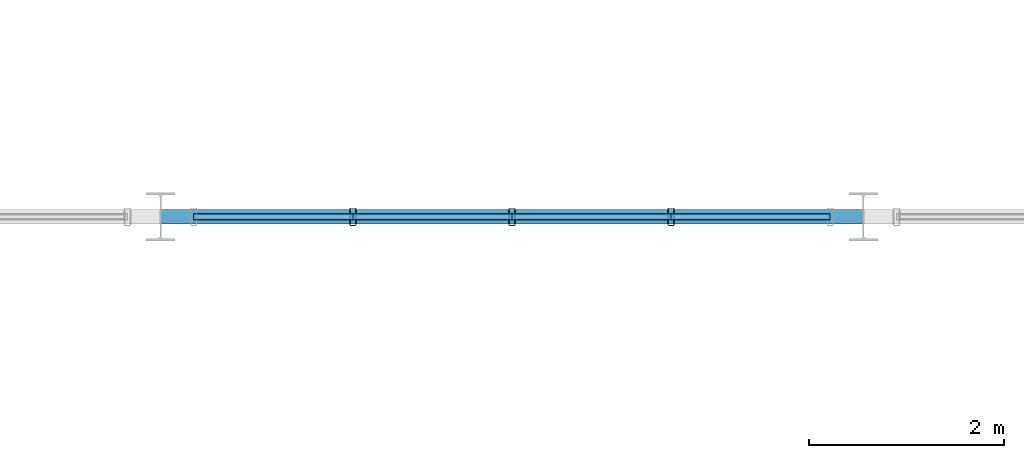
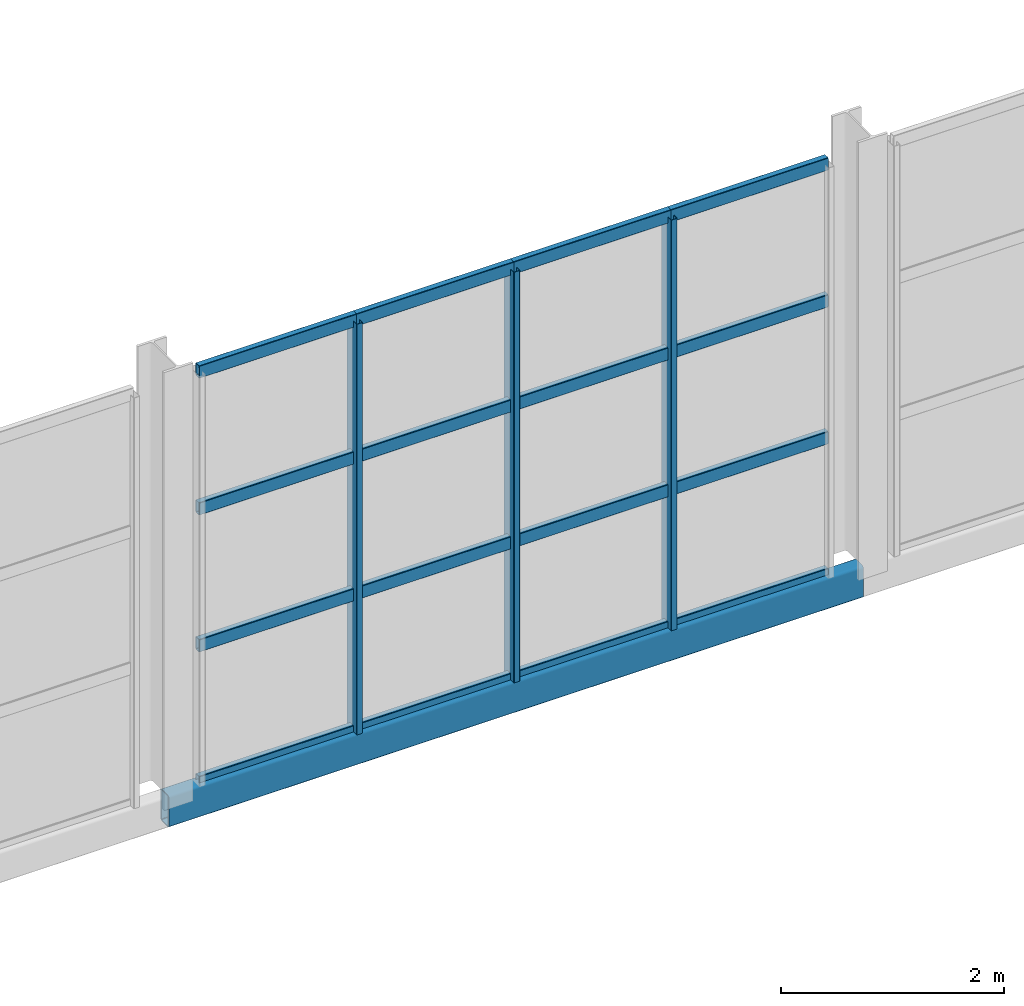
# One storey, part 31 of 143: 19 members, 1 beam, 1 element without a shape of its own.
"""IFC4 building model written with IfcOpenShell, lengths in metres."""

from ifc_helpers import new_model, si_unit, derived_unit, direction, frame, origin, origin_2d, place, context, subcontext, project, spatial, hollow_rectangle, extrude, material, material_profile, profile_set, type_object, element, aggregate, save


model = new_model("IFC4")

# Units and contexts
model_context = context("Model", 3, precision=1e-05, world=origin(), true_north=direction((0.0, 1.0)))
body_context = subcontext(model_context, "Body", "Model", "MODEL_VIEW")
ifc_project = project(units=[si_unit("LENGTHUNIT", "METRE"), si_unit("AREAUNIT", "SQUARE_METRE"), si_unit("VOLUMEUNIT", "CUBIC_METRE"), si_unit("PLANEANGLEUNIT", "RADIAN"), si_unit("MASSUNIT", "GRAM", prefix="KILO"), derived_unit("THERMALTRANSMITTANCEUNIT", [(si_unit("POWERUNIT", "WATT"), 1), (si_unit("LENGTHUNIT", "METRE"), -2), (si_unit("THERMODYNAMICTEMPERATUREUNIT", "KELVIN"), -1)])], contexts=[model_context])

# Site, building, storey
site_placement = place(None, origin())
site = spatial("IfcSite", under=ifc_project, at=site_placement, CompositionType="ELEMENT")
building_placement = place(site_placement, origin())
building = spatial("IfcBuilding", under=site, at=building_placement, Name="Keldorne Ridge Multi-Sports Centre", CompositionType="ELEMENT")
storey_placement = place(building_placement, frame((0.0, 0.0, 4.800048828125)))
storey = spatial("IfcBuildingStorey", under=building, at=storey_placement, Name="L01", CompositionType="ELEMENT", Elevation=4.800048828125)

# Beam
ifc_material_1 = material(Name="Steel S355", Category="steel")
ifc_material_profile_1 = material_profile(ifc_material_1, hollow_rectangle(XDim=0.14990234375, YDim=0.35009765625, WallThickness=0.012451171875, InnerFilletRadius=0.012451171875, OuterFilletRadius=0.02490234375, at=origin_2d()), Name="RHS 350x150x12.5")
ifc_profile_set_1 = profile_set([ifc_material_profile_1], Name="Steel S355")
beam_type = type_object("IfcBeamType", Name="BM-SP-06", PredefinedType="SPANDREL", material=ifc_profile_set_1)
beam_placement = place(storey_placement, frame((63.60009765625, 54.0, -0.175048828125), z_axis=(1.0, 0.0, 0.0), x_axis=(0.0, 1.0, 0.0)))
element("IfcBeam", 1, at=beam_placement, inside=storey, type_object=beam_type, Name="Main Hall north spandrel L01.9", PredefinedType="SPANDREL", context=body_context, shape_type="SweptSolid", body=[
    extrude(hollow_rectangle(XDim=0.14990234375, YDim=0.35009765625, WallThickness=0.012451171875, InnerFilletRadius=0.012451171875, OuterFilletRadius=0.02490234375, at=origin_2d()), origin(), (0.0, 0.0, 1.0), 7.199951171875),
])

# Curtain wall, members
ifc_material_2 = material(Name="Anodized aluminium", Category="aluminium")
curtain_wall_type = type_object("IfcCurtainWallType", Name="CW-CW-01", PredefinedType="NOTDEFINED", material=ifc_material_2)
curtain_wall_placement = place(storey_placement, origin())
curtain_wall = element("IfcCurtainWall", 2, at=curtain_wall_placement, inside=storey, type_object=curtain_wall_type, Name="Main Hall north clerestory curtain wall 025", PredefinedType="NOTDEFINED")
ifc_material_profile_2 = material_profile(ifc_material_2, hollow_rectangle(XDim=0.06494140625, YDim=0.179931640625, WallThickness=0.00439453125, InnerFilletRadius=0.00439453125, OuterFilletRadius=0.009033203125, at=origin_2d()), Name="ALU MULLION 180x65x4.5")
ifc_profile_set_2 = profile_set([ifc_material_profile_2], Name="Anodized aluminium")
member_type_1 = type_object("IfcMemberType", Name="MEM-ML-01", PredefinedType="MULLION", material=ifc_profile_set_2)
member_1_placement = place(storey_placement, frame((68.830078125, 54.0, 0.0), z_axis=(0.0, 0.0, 1.0), x_axis=(1.0, 0.0, 0.0)))
member_1 = element("IfcMember", 3, at=member_1_placement, type_object=member_type_1, Name="CW-025 vertical mullion 2", PredefinedType="MULLION", context=body_context, shape_type="SweptSolid", body=[
    extrude(hollow_rectangle(XDim=0.06494140625, YDim=0.179931640625, WallThickness=0.00439453125, InnerFilletRadius=0.00439453125, OuterFilletRadius=0.009033203125, at=origin_2d()), origin(), (0.0, 0.0, 1.0), 4.5),
])
member_2_placement = place(storey_placement, frame((67.199951171875, 54.0, 0.0), z_axis=(0.0, 0.0, 1.0), x_axis=(1.0, 0.0, 0.0)))
member_2 = element("IfcMember", 4, at=member_2_placement, type_object=member_type_1, Name="CW-025 vertical mullion 3", PredefinedType="MULLION", context=body_context, shape_type="SweptSolid", body=[
    extrude(hollow_rectangle(XDim=0.06494140625, YDim=0.179931640625, WallThickness=0.00439453125, InnerFilletRadius=0.00439453125, OuterFilletRadius=0.009033203125, at=origin_2d()), origin(), (0.0, 0.0, 1.0), 4.5),
])
member_3_placement = place(storey_placement, frame((65.570068359375, 54.0, 0.0), z_axis=(0.0, 0.0, 1.0), x_axis=(1.0, 0.0, 0.0)))
member_3 = element("IfcMember", 5, at=member_3_placement, type_object=member_type_1, Name="CW-025 vertical mullion 4", PredefinedType="MULLION", context=body_context, shape_type="SweptSolid", body=[
    extrude(hollow_rectangle(XDim=0.06494140625, YDim=0.179931640625, WallThickness=0.00439453125, InnerFilletRadius=0.00439453125, OuterFilletRadius=0.009033203125, at=origin_2d()), origin(), (0.0, 0.0, 1.0), 4.5),
])
ifc_material_profile_3 = material_profile(ifc_material_2, hollow_rectangle(XDim=0.06494140625, YDim=0.139892578125, WallThickness=0.00439453125, InnerFilletRadius=0.00439453125, OuterFilletRadius=0.009033203125, at=origin_2d()), Name="ALU TRANSOM 140x65x4.5")
ifc_profile_set_3 = profile_set([ifc_material_profile_3], Name="Anodized aluminium")
member_type_2 = type_object("IfcMemberType", Name="MEM-TR-01", PredefinedType="USERDEFINED", material=ifc_profile_set_3)
member_4_placement = place(storey_placement, frame((70.4599609375, 54.0, 0.0), z_axis=(-1.0, 0.0, 0.0), x_axis=(0.0, -1.0, 0.0)))
member_4 = element("IfcMember", 6, at=member_4_placement, type_object=member_type_2, Name="CW-025 transom 1.1", ObjectType="TRANSOM", PredefinedType="USERDEFINED", context=body_context, shape_type="SweptSolid", body=[
    extrude(hollow_rectangle(XDim=0.06494140625, YDim=0.139892578125, WallThickness=0.00439453125, InnerFilletRadius=0.00439453125, OuterFilletRadius=0.009033203125, at=origin_2d()), origin(), (0.0, 0.0, 1.0), 1.6298828125),
])
member_5_placement = place(storey_placement, frame((70.4599609375, 54.0, 1.5), z_axis=(-1.0, 0.0, 0.0), x_axis=(0.0, -1.0, 0.0)))
member_5 = element("IfcMember", 7, at=member_5_placement, type_object=member_type_2, Name="CW-025 transom 1.2", ObjectType="TRANSOM", PredefinedType="USERDEFINED", context=body_context, shape_type="SweptSolid", body=[
    extrude(hollow_rectangle(XDim=0.06494140625, YDim=0.139892578125, WallThickness=0.00439453125, InnerFilletRadius=0.00439453125, OuterFilletRadius=0.009033203125, at=origin_2d()), origin(), (0.0, 0.0, 1.0), 1.6298828125),
])
member_6_placement = place(storey_placement, frame((70.4599609375, 54.0, 3.0), z_axis=(-1.0, 0.0, 0.0), x_axis=(0.0, -1.0, 0.0)))
member_6 = element("IfcMember", 8, at=member_6_placement, type_object=member_type_2, Name="CW-025 transom 1.3", ObjectType="TRANSOM", PredefinedType="USERDEFINED", context=body_context, shape_type="SweptSolid", body=[
    extrude(hollow_rectangle(XDim=0.06494140625, YDim=0.139892578125, WallThickness=0.00439453125, InnerFilletRadius=0.00439453125, OuterFilletRadius=0.009033203125, at=origin_2d()), origin(), (0.0, 0.0, 1.0), 1.6298828125),
])
member_7_placement = place(storey_placement, frame((70.4599609375, 54.0, 4.5), z_axis=(-1.0, 0.0, 0.0), x_axis=(0.0, -1.0, 0.0)))
member_7 = element("IfcMember", 9, at=member_7_placement, type_object=member_type_2, Name="CW-025 transom 1.4", ObjectType="TRANSOM", PredefinedType="USERDEFINED", context=body_context, shape_type="SweptSolid", body=[
    extrude(hollow_rectangle(XDim=0.06494140625, YDim=0.139892578125, WallThickness=0.00439453125, InnerFilletRadius=0.00439453125, OuterFilletRadius=0.009033203125, at=origin_2d()), origin(), (0.0, 0.0, 1.0), 1.6298828125),
])
member_8_placement = place(storey_placement, frame((68.830078125, 54.0, 0.0), z_axis=(-1.0, 0.0, 0.0), x_axis=(0.0, -1.0, 0.0)))
member_8 = element("IfcMember", 10, at=member_8_placement, type_object=member_type_2, Name="CW-025 transom 2.1", ObjectType="TRANSOM", PredefinedType="USERDEFINED", context=body_context, shape_type="SweptSolid", body=[
    extrude(hollow_rectangle(XDim=0.06494140625, YDim=0.139892578125, WallThickness=0.00439453125, InnerFilletRadius=0.00439453125, OuterFilletRadius=0.009033203125, at=origin_2d()), origin(), (0.0, 0.0, 1.0), 1.630126953125),
])
member_9_placement = place(storey_placement, frame((68.830078125, 54.0, 1.5), z_axis=(-1.0, 0.0, 0.0), x_axis=(0.0, -1.0, 0.0)))
member_9 = element("IfcMember", 11, at=member_9_placement, type_object=member_type_2, Name="CW-025 transom 2.2", ObjectType="TRANSOM", PredefinedType="USERDEFINED", context=body_context, shape_type="SweptSolid", body=[
    extrude(hollow_rectangle(XDim=0.06494140625, YDim=0.139892578125, WallThickness=0.00439453125, InnerFilletRadius=0.00439453125, OuterFilletRadius=0.009033203125, at=origin_2d()), origin(), (0.0, 0.0, 1.0), 1.630126953125),
])
member_10_placement = place(storey_placement, frame((68.830078125, 54.0, 3.0), z_axis=(-1.0, 0.0, 0.0), x_axis=(0.0, -1.0, 0.0)))
member_10 = element("IfcMember", 12, at=member_10_placement, type_object=member_type_2, Name="CW-025 transom 2.3", ObjectType="TRANSOM", PredefinedType="USERDEFINED", context=body_context, shape_type="SweptSolid", body=[
    extrude(hollow_rectangle(XDim=0.06494140625, YDim=0.139892578125, WallThickness=0.00439453125, InnerFilletRadius=0.00439453125, OuterFilletRadius=0.009033203125, at=origin_2d()), origin(), (0.0, 0.0, 1.0), 1.630126953125),
])
member_11_placement = place(storey_placement, frame((68.830078125, 54.0, 4.5), z_axis=(-1.0, 0.0, 0.0), x_axis=(0.0, -1.0, 0.0)))
member_11 = element("IfcMember", 13, at=member_11_placement, type_object=member_type_2, Name="CW-025 transom 2.4", ObjectType="TRANSOM", PredefinedType="USERDEFINED", context=body_context, shape_type="SweptSolid", body=[
    extrude(hollow_rectangle(XDim=0.06494140625, YDim=0.139892578125, WallThickness=0.00439453125, InnerFilletRadius=0.00439453125, OuterFilletRadius=0.009033203125, at=origin_2d()), origin(), (0.0, 0.0, 1.0), 1.630126953125),
])
member_12_placement = place(storey_placement, frame((67.199951171875, 54.0, 0.0), z_axis=(-1.0, 0.0, 0.0), x_axis=(0.0, -1.0, 0.0)))
member_12 = element("IfcMember", 14, at=member_12_placement, type_object=member_type_2, Name="CW-025 transom 3.1", ObjectType="TRANSOM", PredefinedType="USERDEFINED", context=body_context, shape_type="SweptSolid", body=[
    extrude(hollow_rectangle(XDim=0.06494140625, YDim=0.139892578125, WallThickness=0.00439453125, InnerFilletRadius=0.00439453125, OuterFilletRadius=0.009033203125, at=origin_2d()), origin(), (0.0, 0.0, 1.0), 1.6298828125),
])
member_13_placement = place(storey_placement, frame((67.199951171875, 54.0, 1.5), z_axis=(-1.0, 0.0, 0.0), x_axis=(0.0, -1.0, 0.0)))
member_13 = element("IfcMember", 15, at=member_13_placement, type_object=member_type_2, Name="CW-025 transom 3.2", ObjectType="TRANSOM", PredefinedType="USERDEFINED", context=body_context, shape_type="SweptSolid", body=[
    extrude(hollow_rectangle(XDim=0.06494140625, YDim=0.139892578125, WallThickness=0.00439453125, InnerFilletRadius=0.00439453125, OuterFilletRadius=0.009033203125, at=origin_2d()), origin(), (0.0, 0.0, 1.0), 1.6298828125),
])
member_14_placement = place(storey_placement, frame((67.199951171875, 54.0, 3.0), z_axis=(-1.0, 0.0, 0.0), x_axis=(0.0, -1.0, 0.0)))
member_14 = element("IfcMember", 16, at=member_14_placement, type_object=member_type_2, Name="CW-025 transom 3.3", ObjectType="TRANSOM", PredefinedType="USERDEFINED", context=body_context, shape_type="SweptSolid", body=[
    extrude(hollow_rectangle(XDim=0.06494140625, YDim=0.139892578125, WallThickness=0.00439453125, InnerFilletRadius=0.00439453125, OuterFilletRadius=0.009033203125, at=origin_2d()), origin(), (0.0, 0.0, 1.0), 1.6298828125),
])
member_15_placement = place(storey_placement, frame((67.199951171875, 54.0, 4.5), z_axis=(-1.0, 0.0, 0.0), x_axis=(0.0, -1.0, 0.0)))
member_15 = element("IfcMember", 17, at=member_15_placement, type_object=member_type_2, Name="CW-025 transom 3.4", ObjectType="TRANSOM", PredefinedType="USERDEFINED", context=body_context, shape_type="SweptSolid", body=[
    extrude(hollow_rectangle(XDim=0.06494140625, YDim=0.139892578125, WallThickness=0.00439453125, InnerFilletRadius=0.00439453125, OuterFilletRadius=0.009033203125, at=origin_2d()), origin(), (0.0, 0.0, 1.0), 1.6298828125),
])
member_16_placement = place(storey_placement, frame((65.570068359375, 54.0, 0.0), z_axis=(-1.0, 0.0, 0.0), x_axis=(0.0, -1.0, 0.0)))
member_16 = element("IfcMember", 18, at=member_16_placement, type_object=member_type_2, Name="CW-025 transom 4.1", ObjectType="TRANSOM", PredefinedType="USERDEFINED", context=body_context, shape_type="SweptSolid", body=[
    extrude(hollow_rectangle(XDim=0.06494140625, YDim=0.139892578125, WallThickness=0.00439453125, InnerFilletRadius=0.00439453125, OuterFilletRadius=0.009033203125, at=origin_2d()), origin(), (0.0, 0.0, 1.0), 1.630126953125),
])
member_17_placement = place(storey_placement, frame((65.570068359375, 54.0, 1.5), z_axis=(-1.0, 0.0, 0.0), x_axis=(0.0, -1.0, 0.0)))
member_17 = element("IfcMember", 19, at=member_17_placement, type_object=member_type_2, Name="CW-025 transom 4.2", ObjectType="TRANSOM", PredefinedType="USERDEFINED", context=body_context, shape_type="SweptSolid", body=[
    extrude(hollow_rectangle(XDim=0.06494140625, YDim=0.139892578125, WallThickness=0.00439453125, InnerFilletRadius=0.00439453125, OuterFilletRadius=0.009033203125, at=origin_2d()), origin(), (0.0, 0.0, 1.0), 1.630126953125),
])
member_18_placement = place(storey_placement, frame((65.570068359375, 54.0, 3.0), z_axis=(-1.0, 0.0, 0.0), x_axis=(0.0, -1.0, 0.0)))
member_18 = element("IfcMember", 20, at=member_18_placement, type_object=member_type_2, Name="CW-025 transom 4.3", ObjectType="TRANSOM", PredefinedType="USERDEFINED", context=body_context, shape_type="SweptSolid", body=[
    extrude(hollow_rectangle(XDim=0.06494140625, YDim=0.139892578125, WallThickness=0.00439453125, InnerFilletRadius=0.00439453125, OuterFilletRadius=0.009033203125, at=origin_2d()), origin(), (0.0, 0.0, 1.0), 1.630126953125),
])
member_19_placement = place(storey_placement, frame((65.570068359375, 54.0, 4.5), z_axis=(-1.0, 0.0, 0.0), x_axis=(0.0, -1.0, 0.0)))
member_19 = element("IfcMember", 21, at=member_19_placement, type_object=member_type_2, Name="CW-025 transom 4.4", ObjectType="TRANSOM", PredefinedType="USERDEFINED", context=body_context, shape_type="SweptSolid", body=[
    extrude(hollow_rectangle(XDim=0.06494140625, YDim=0.139892578125, WallThickness=0.00439453125, InnerFilletRadius=0.00439453125, OuterFilletRadius=0.009033203125, at=origin_2d()), origin(), (0.0, 0.0, 1.0), 1.630126953125),
])
aggregate(curtain_wall, [member_1, member_2, member_3, member_4, member_5, member_6, member_7, member_8, member_9, member_10, member_11, member_12, member_13, member_14, member_15, member_16, member_17, member_18, member_19])

save(model, "model.ifc")
